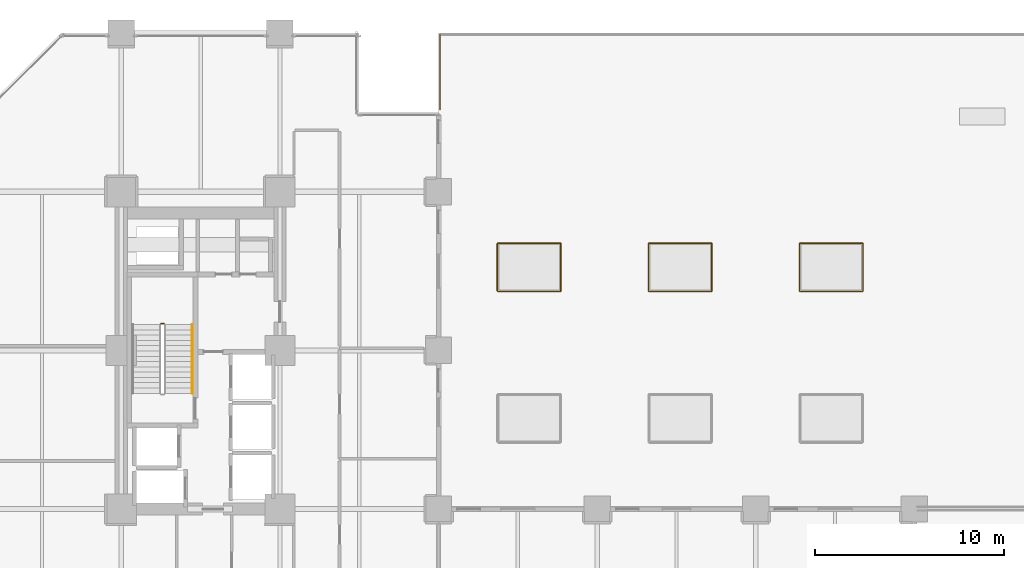
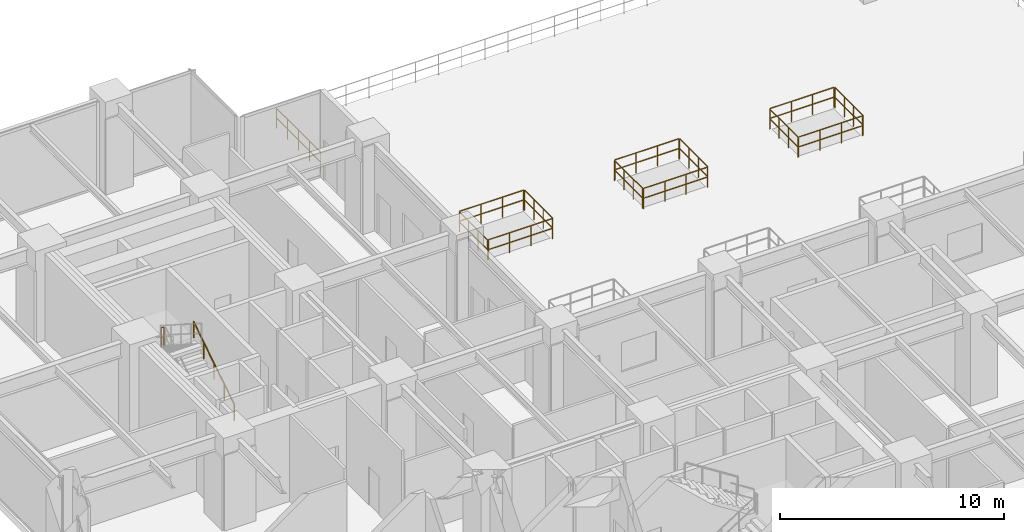
# One storey, part 20 of 21: 15 railings.
"""IFC4 building model written with IfcOpenShell, lengths in metres."""

from ifc_helpers import new_model, si_unit, direction, frame, origin, origin_2d, place, context, subcontext, project, spatial, circle, extrude, material, type_object, element, save


model = new_model("IFC4")

# Units and contexts
model_context = context("Model", 3, precision=1e-05, world=origin(), true_north=direction((0.0, 1.0)))
body_context = subcontext(model_context, "Body", "Model", "MODEL_VIEW")
ifc_project = project(units=[si_unit("LENGTHUNIT", "METRE"), si_unit("AREAUNIT", "SQUARE_METRE"), si_unit("VOLUMEUNIT", "CUBIC_METRE"), si_unit("PLANEANGLEUNIT", "RADIAN"), si_unit("MASSUNIT", "GRAM", prefix="KILO")], contexts=[model_context])

# Site, building, storey
site_placement = place(None, origin())
site = spatial("IfcSite", under=ifc_project, at=site_placement, CompositionType="ELEMENT")
building_placement = place(site_placement, origin())
building = spatial("IfcBuilding", under=site, at=building_placement, Name="Nerrivon Quay Data Exchange", CompositionType="ELEMENT")
storey_placement = place(building_placement, frame((0.0, 0.0, 19.800048828125)))
storey = spatial("IfcBuildingStorey", under=building, at=storey_placement, Name="L04", CompositionType="ELEMENT", Elevation=19.800048828125)

# Railings
ifc_material = material(Name="Steel Grade C350L0 (350 MPa)", Category="steel")
railing_type_1 = type_object("IfcRailingType", Name="RAIL-GUARD-GR2", PredefinedType="BALUSTRADE", material=ifc_material)
railing_1_placement = place(storey_placement, frame((28.35009765625, 36.719970703125, 0.0)))
element("IfcRailing", 1, at=railing_1_placement, inside=storey, type_object=railing_type_1, Name="L04 Atrium Skylight Guard 4 1", PredefinedType="BALUSTRADE", context=body_context, shape_type="SweptSolid", body=[
    extrude(circle(Radius=0.02392578125, at=origin_2d()), frame((0.0, 0.0, 1.09619140625), z_axis=(1.0, 0.0, 0.0), x_axis=(0.0, 1.0, 0.0)), (0.0, 0.0, 1.0), 3.2998046875),
    extrude(circle(Radius=0.02392578125, at=origin_2d()), frame((0.0, 0.0, 0.56005859375), z_axis=(1.0, 0.0, 0.0), x_axis=(0.0, 1.0, 0.0)), (0.0, 0.0, 1.0), 3.2998046875),
    extrude(circle(Radius=0.02099609375, at=origin_2d()), origin(), (0.0, 0.0, 1.0), 1.072021484375),
    extrude(circle(Radius=0.02099609375, at=origin_2d()), frame((1.099853515625, 0.0, 0.0)), (0.0, 0.0, 1.0), 1.072021484375),
    extrude(circle(Radius=0.02099609375, at=origin_2d()), frame((2.199951171875, 0.0, 0.0)), (0.0, 0.0, 1.0), 1.072021484375),
    extrude(circle(Radius=0.02099609375, at=origin_2d()), frame((3.2998046875, 0.0, 0.0)), (0.0, 0.0, 1.0), 1.072021484375),
])
railing_2_placement = place(storey_placement, frame((31.679931640625, 36.75, 0.0)))
element("IfcRailing", 2, at=railing_2_placement, inside=storey, type_object=railing_type_1, Name="L04 Atrium Skylight Guard 4 2", PredefinedType="BALUSTRADE", context=body_context, shape_type="SweptSolid", body=[
    extrude(circle(Radius=0.02392578125, at=origin_2d()), frame((0.0, 0.0, 1.09619140625), z_axis=(0.0, 1.0, 0.0), x_axis=(-1.0, 0.0, 0.0)), (0.0, 0.0, 1.0), 2.5),
    extrude(circle(Radius=0.02392578125, at=origin_2d()), frame((0.0, 0.0, 0.56005859375), z_axis=(0.0, 1.0, 0.0), x_axis=(-1.0, 0.0, 0.0)), (0.0, 0.0, 1.0), 2.5),
    extrude(circle(Radius=0.02099609375, at=origin_2d()), origin(), (0.0, 0.0, 1.0), 1.072021484375),
    extrude(circle(Radius=0.02099609375, at=origin_2d()), frame((0.0, 0.833251953125, 0.0)), (0.0, 0.0, 1.0), 1.072021484375),
    extrude(circle(Radius=0.02099609375, at=origin_2d()), frame((0.0, 1.666748046875, 0.0)), (0.0, 0.0, 1.0), 1.072021484375),
    extrude(circle(Radius=0.02099609375, at=origin_2d()), frame((0.0, 2.5, 0.0)), (0.0, 0.0, 1.0), 1.072021484375),
])
railing_3_placement = place(storey_placement, frame((31.64990234375, 39.280029296875, 0.0)))
element("IfcRailing", 3, at=railing_3_placement, inside=storey, type_object=railing_type_1, Name="L04 Atrium Skylight Guard 4 3", PredefinedType="BALUSTRADE", context=body_context, shape_type="SweptSolid", body=[
    extrude(circle(Radius=0.02392578125, at=origin_2d()), frame((0.0, 0.0, 1.09619140625), z_axis=(-1.0, 0.0, 0.0), x_axis=(0.0, -1.0, 0.0)), (0.0, 0.0, 1.0), 3.2998046875),
    extrude(circle(Radius=0.02392578125, at=origin_2d()), frame((0.0, 0.0, 0.56005859375), z_axis=(-1.0, 0.0, 0.0), x_axis=(0.0, -1.0, 0.0)), (0.0, 0.0, 1.0), 3.2998046875),
    extrude(circle(Radius=0.02099609375, at=origin_2d()), origin(), (0.0, 0.0, 1.0), 1.072021484375),
    extrude(circle(Radius=0.02099609375, at=origin_2d()), frame((-1.099853515625, 0.0, 0.0)), (0.0, 0.0, 1.0), 1.072021484375),
    extrude(circle(Radius=0.02099609375, at=origin_2d()), frame((-2.199951171875, 0.0, 0.0)), (0.0, 0.0, 1.0), 1.072021484375),
    extrude(circle(Radius=0.02099609375, at=origin_2d()), frame((-3.2998046875, 0.0, 0.0)), (0.0, 0.0, 1.0), 1.072021484375),
])
railing_4_placement = place(storey_placement, frame((28.320068359375, 39.25, 0.0)))
element("IfcRailing", 4, at=railing_4_placement, inside=storey, type_object=railing_type_1, Name="L04 Atrium Skylight Guard 4 4", PredefinedType="BALUSTRADE", context=body_context, shape_type="SweptSolid", body=[
    extrude(circle(Radius=0.02392578125, at=origin_2d()), frame((0.0, 0.0, 1.09619140625), z_axis=(0.0, -1.0, 0.0), x_axis=(1.0, 0.0, 0.0)), (0.0, 0.0, 1.0), 2.5),
    extrude(circle(Radius=0.02392578125, at=origin_2d()), frame((0.0, 0.0, 0.56005859375), z_axis=(0.0, -1.0, 0.0), x_axis=(1.0, 0.0, 0.0)), (0.0, 0.0, 1.0), 2.5),
    extrude(circle(Radius=0.02099609375, at=origin_2d()), origin(), (0.0, 0.0, 1.0), 1.072021484375),
    extrude(circle(Radius=0.02099609375, at=origin_2d()), frame((0.0, -0.833251953125, 0.0)), (0.0, 0.0, 1.0), 1.072021484375),
    extrude(circle(Radius=0.02099609375, at=origin_2d()), frame((0.0, -1.666748046875, 0.0)), (0.0, 0.0, 1.0), 1.072021484375),
    extrude(circle(Radius=0.02099609375, at=origin_2d()), frame((0.0, -2.5, 0.0)), (0.0, 0.0, 1.0), 1.072021484375),
])
railing_5_placement = place(storey_placement, frame((36.35009765625, 36.719970703125, 0.0)))
element("IfcRailing", 5, at=railing_5_placement, inside=storey, type_object=railing_type_1, Name="L04 Atrium Skylight Guard 5 1", PredefinedType="BALUSTRADE", context=body_context, shape_type="SweptSolid", body=[
    extrude(circle(Radius=0.02392578125, at=origin_2d()), frame((0.0, 0.0, 1.09619140625), z_axis=(1.0, 0.0, 0.0), x_axis=(0.0, 1.0, 0.0)), (0.0, 0.0, 1.0), 3.2998046875),
    extrude(circle(Radius=0.02392578125, at=origin_2d()), frame((0.0, 0.0, 0.56005859375), z_axis=(1.0, 0.0, 0.0), x_axis=(0.0, 1.0, 0.0)), (0.0, 0.0, 1.0), 3.2998046875),
    extrude(circle(Radius=0.02099609375, at=origin_2d()), origin(), (0.0, 0.0, 1.0), 1.072021484375),
    extrude(circle(Radius=0.02099609375, at=origin_2d()), frame((1.099853515625, 0.0, 0.0)), (0.0, 0.0, 1.0), 1.072021484375),
    extrude(circle(Radius=0.02099609375, at=origin_2d()), frame((2.199951171875, 0.0, 0.0)), (0.0, 0.0, 1.0), 1.072021484375),
    extrude(circle(Radius=0.02099609375, at=origin_2d()), frame((3.2998046875, 0.0, 0.0)), (0.0, 0.0, 1.0), 1.072021484375),
])
railing_6_placement = place(storey_placement, frame((39.679931640625, 36.75, 0.0)))
element("IfcRailing", 6, at=railing_6_placement, inside=storey, type_object=railing_type_1, Name="L04 Atrium Skylight Guard 5 2", PredefinedType="BALUSTRADE", context=body_context, shape_type="SweptSolid", body=[
    extrude(circle(Radius=0.02392578125, at=origin_2d()), frame((0.0, 0.0, 1.09619140625), z_axis=(0.0, 1.0, 0.0), x_axis=(-1.0, 0.0, 0.0)), (0.0, 0.0, 1.0), 2.5),
    extrude(circle(Radius=0.02392578125, at=origin_2d()), frame((0.0, 0.0, 0.56005859375), z_axis=(0.0, 1.0, 0.0), x_axis=(-1.0, 0.0, 0.0)), (0.0, 0.0, 1.0), 2.5),
    extrude(circle(Radius=0.02099609375, at=origin_2d()), origin(), (0.0, 0.0, 1.0), 1.072021484375),
    extrude(circle(Radius=0.02099609375, at=origin_2d()), frame((0.0, 0.833251953125, 0.0)), (0.0, 0.0, 1.0), 1.072021484375),
    extrude(circle(Radius=0.02099609375, at=origin_2d()), frame((0.0, 1.666748046875, 0.0)), (0.0, 0.0, 1.0), 1.072021484375),
    extrude(circle(Radius=0.02099609375, at=origin_2d()), frame((0.0, 2.5, 0.0)), (0.0, 0.0, 1.0), 1.072021484375),
])
railing_7_placement = place(storey_placement, frame((39.64990234375, 39.280029296875, 0.0)))
element("IfcRailing", 7, at=railing_7_placement, inside=storey, type_object=railing_type_1, Name="L04 Atrium Skylight Guard 5 3", PredefinedType="BALUSTRADE", context=body_context, shape_type="SweptSolid", body=[
    extrude(circle(Radius=0.02392578125, at=origin_2d()), frame((0.0, 0.0, 1.09619140625), z_axis=(-1.0, 0.0, 0.0), x_axis=(0.0, -1.0, 0.0)), (0.0, 0.0, 1.0), 3.2998046875),
    extrude(circle(Radius=0.02392578125, at=origin_2d()), frame((0.0, 0.0, 0.56005859375), z_axis=(-1.0, 0.0, 0.0), x_axis=(0.0, -1.0, 0.0)), (0.0, 0.0, 1.0), 3.2998046875),
    extrude(circle(Radius=0.02099609375, at=origin_2d()), origin(), (0.0, 0.0, 1.0), 1.072021484375),
    extrude(circle(Radius=0.02099609375, at=origin_2d()), frame((-1.099853515625, 0.0, 0.0)), (0.0, 0.0, 1.0), 1.072021484375),
    extrude(circle(Radius=0.02099609375, at=origin_2d()), frame((-2.199951171875, 0.0, 0.0)), (0.0, 0.0, 1.0), 1.072021484375),
    extrude(circle(Radius=0.02099609375, at=origin_2d()), frame((-3.2998046875, 0.0, 0.0)), (0.0, 0.0, 1.0), 1.072021484375),
])
railing_8_placement = place(storey_placement, frame((36.320068359375, 39.25, 0.0)))
element("IfcRailing", 8, at=railing_8_placement, inside=storey, type_object=railing_type_1, Name="L04 Atrium Skylight Guard 5 4", PredefinedType="BALUSTRADE", context=body_context, shape_type="SweptSolid", body=[
    extrude(circle(Radius=0.02392578125, at=origin_2d()), frame((0.0, 0.0, 1.09619140625), z_axis=(0.0, -1.0, 0.0), x_axis=(1.0, 0.0, 0.0)), (0.0, 0.0, 1.0), 2.5),
    extrude(circle(Radius=0.02392578125, at=origin_2d()), frame((0.0, 0.0, 0.56005859375), z_axis=(0.0, -1.0, 0.0), x_axis=(1.0, 0.0, 0.0)), (0.0, 0.0, 1.0), 2.5),
    extrude(circle(Radius=0.02099609375, at=origin_2d()), origin(), (0.0, 0.0, 1.0), 1.072021484375),
    extrude(circle(Radius=0.02099609375, at=origin_2d()), frame((0.0, -0.833251953125, 0.0)), (0.0, 0.0, 1.0), 1.072021484375),
    extrude(circle(Radius=0.02099609375, at=origin_2d()), frame((0.0, -1.666748046875, 0.0)), (0.0, 0.0, 1.0), 1.072021484375),
    extrude(circle(Radius=0.02099609375, at=origin_2d()), frame((0.0, -2.5, 0.0)), (0.0, 0.0, 1.0), 1.072021484375),
])
railing_9_placement = place(storey_placement, frame((44.35009765625, 36.719970703125, 0.0)))
element("IfcRailing", 9, at=railing_9_placement, inside=storey, type_object=railing_type_1, Name="L04 Atrium Skylight Guard 6 1", PredefinedType="BALUSTRADE", context=body_context, shape_type="SweptSolid", body=[
    extrude(circle(Radius=0.02392578125, at=origin_2d()), frame((0.0, 0.0, 1.09619140625), z_axis=(1.0, 0.0, 0.0), x_axis=(0.0, 1.0, 0.0)), (0.0, 0.0, 1.0), 3.2998046875),
    extrude(circle(Radius=0.02392578125, at=origin_2d()), frame((0.0, 0.0, 0.56005859375), z_axis=(1.0, 0.0, 0.0), x_axis=(0.0, 1.0, 0.0)), (0.0, 0.0, 1.0), 3.2998046875),
    extrude(circle(Radius=0.02099609375, at=origin_2d()), origin(), (0.0, 0.0, 1.0), 1.072021484375),
    extrude(circle(Radius=0.02099609375, at=origin_2d()), frame((1.099853515625, 0.0, 0.0)), (0.0, 0.0, 1.0), 1.072021484375),
    extrude(circle(Radius=0.02099609375, at=origin_2d()), frame((2.199951171875, 0.0, 0.0)), (0.0, 0.0, 1.0), 1.072021484375),
    extrude(circle(Radius=0.02099609375, at=origin_2d()), frame((3.2998046875, 0.0, 0.0)), (0.0, 0.0, 1.0), 1.072021484375),
])
railing_10_placement = place(storey_placement, frame((47.679931640625, 36.75, 0.0)))
element("IfcRailing", 10, at=railing_10_placement, inside=storey, type_object=railing_type_1, Name="L04 Atrium Skylight Guard 6 2", PredefinedType="BALUSTRADE", context=body_context, shape_type="SweptSolid", body=[
    extrude(circle(Radius=0.02392578125, at=origin_2d()), frame((0.0, 0.0, 1.09619140625), z_axis=(0.0, 1.0, 0.0), x_axis=(-1.0, 0.0, 0.0)), (0.0, 0.0, 1.0), 2.5),
    extrude(circle(Radius=0.02392578125, at=origin_2d()), frame((0.0, 0.0, 0.56005859375), z_axis=(0.0, 1.0, 0.0), x_axis=(-1.0, 0.0, 0.0)), (0.0, 0.0, 1.0), 2.5),
    extrude(circle(Radius=0.02099609375, at=origin_2d()), origin(), (0.0, 0.0, 1.0), 1.072021484375),
    extrude(circle(Radius=0.02099609375, at=origin_2d()), frame((0.0, 0.833251953125, 0.0)), (0.0, 0.0, 1.0), 1.072021484375),
    extrude(circle(Radius=0.02099609375, at=origin_2d()), frame((0.0, 1.666748046875, 0.0)), (0.0, 0.0, 1.0), 1.072021484375),
    extrude(circle(Radius=0.02099609375, at=origin_2d()), frame((0.0, 2.5, 0.0)), (0.0, 0.0, 1.0), 1.072021484375),
])
railing_11_placement = place(storey_placement, frame((47.64990234375, 39.280029296875, 0.0)))
element("IfcRailing", 11, at=railing_11_placement, inside=storey, type_object=railing_type_1, Name="L04 Atrium Skylight Guard 6 3", PredefinedType="BALUSTRADE", context=body_context, shape_type="SweptSolid", body=[
    extrude(circle(Radius=0.02392578125, at=origin_2d()), frame((0.0, 0.0, 1.09619140625), z_axis=(-1.0, 0.0, 0.0), x_axis=(0.0, -1.0, 0.0)), (0.0, 0.0, 1.0), 3.2998046875),
    extrude(circle(Radius=0.02392578125, at=origin_2d()), frame((0.0, 0.0, 0.56005859375), z_axis=(-1.0, 0.0, 0.0), x_axis=(0.0, -1.0, 0.0)), (0.0, 0.0, 1.0), 3.2998046875),
    extrude(circle(Radius=0.02099609375, at=origin_2d()), origin(), (0.0, 0.0, 1.0), 1.072021484375),
    extrude(circle(Radius=0.02099609375, at=origin_2d()), frame((-1.099853515625, 0.0, 0.0)), (0.0, 0.0, 1.0), 1.072021484375),
    extrude(circle(Radius=0.02099609375, at=origin_2d()), frame((-2.199951171875, 0.0, 0.0)), (0.0, 0.0, 1.0), 1.072021484375),
    extrude(circle(Radius=0.02099609375, at=origin_2d()), frame((-3.2998046875, 0.0, 0.0)), (0.0, 0.0, 1.0), 1.072021484375),
])
railing_12_placement = place(storey_placement, frame((44.320068359375, 39.25, 0.0)))
element("IfcRailing", 12, at=railing_12_placement, inside=storey, type_object=railing_type_1, Name="L04 Atrium Skylight Guard 6 4", PredefinedType="BALUSTRADE", context=body_context, shape_type="SweptSolid", body=[
    extrude(circle(Radius=0.02392578125, at=origin_2d()), frame((0.0, 0.0, 1.09619140625), z_axis=(0.0, -1.0, 0.0), x_axis=(1.0, 0.0, 0.0)), (0.0, 0.0, 1.0), 2.5),
    extrude(circle(Radius=0.02392578125, at=origin_2d()), frame((0.0, 0.0, 0.56005859375), z_axis=(0.0, -1.0, 0.0), x_axis=(1.0, 0.0, 0.0)), (0.0, 0.0, 1.0), 2.5),
    extrude(circle(Radius=0.02099609375, at=origin_2d()), origin(), (0.0, 0.0, 1.0), 1.072021484375),
    extrude(circle(Radius=0.02099609375, at=origin_2d()), frame((0.0, -0.833251953125, 0.0)), (0.0, 0.0, 1.0), 1.072021484375),
    extrude(circle(Radius=0.02099609375, at=origin_2d()), frame((0.0, -1.666748046875, 0.0)), (0.0, 0.0, 1.0), 1.072021484375),
    extrude(circle(Radius=0.02099609375, at=origin_2d()), frame((0.0, -2.5, 0.0)), (0.0, 0.0, 1.0), 1.072021484375),
])
railing_13_placement = place(storey_placement, frame((25.280029296875, 46.361083984375, 0.0)))
element("IfcRailing", 13, at=railing_13_placement, inside=storey, type_object=railing_type_1, Name="L04 Terrace Perimeter Guard 1.1 1", PredefinedType="BALUSTRADE", context=body_context, shape_type="SweptSolid", body=[
    extrude(circle(Radius=0.02392578125, at=origin_2d()), frame((0.0, 0.0, 1.09619140625), z_axis=(0.0, 1.0, 0.0), x_axis=(-1.0, 0.0, 0.0)), (0.0, 0.0, 1.0), 3.958984375),
    extrude(circle(Radius=0.02392578125, at=origin_2d()), frame((0.0, 0.0, 0.56005859375), z_axis=(0.0, 1.0, 0.0), x_axis=(-1.0, 0.0, 0.0)), (0.0, 0.0, 1.0), 3.958984375),
    extrude(circle(Radius=0.02099609375, at=origin_2d()), origin(), (0.0, 0.0, 1.0), 1.072021484375),
    extrude(circle(Radius=0.02099609375, at=origin_2d()), frame((0.0, 0.98974609375, 0.0)), (0.0, 0.0, 1.0), 1.072021484375),
    extrude(circle(Radius=0.02099609375, at=origin_2d()), frame((0.0, 1.9794921875, 0.0)), (0.0, 0.0, 1.0), 1.072021484375),
    extrude(circle(Radius=0.02099609375, at=origin_2d()), frame((0.0, 2.96923828125, 0.0)), (0.0, 0.0, 1.0), 1.072021484375),
    extrude(circle(Radius=0.02099609375, at=origin_2d()), frame((0.0, 3.958984375, 0.0)), (0.0, 0.0, 1.0), 1.072021484375),
])
railing_type_2 = type_object("IfcRailingType", Name="RAIL-HAND-HR1", PredefinedType="HANDRAIL", material=ifc_material)
railing_14_placement = place(storey_placement, frame((12.14990234375, 31.330078125, 0.178466796875)))
element("IfcRailing", 14, at=railing_14_placement, inside=storey, type_object=railing_type_2, Name="L04 ST01 stair handrail 1", PredefinedType="HANDRAIL", context=body_context, shape_type="SweptSolid", body=[
    extrude(circle(Radius=0.02392578125, at=origin_2d()), frame((0.0, 0.0, 0.8759765625), z_axis=(0.0, 0.843111507901, 0.53773877045), x_axis=(-1.0, 0.0, 0.0)), (0.0, 0.0, 1.0), 4.317138671875),
    extrude(circle(Radius=0.02099609375, at=origin_2d()), origin(), (0.0, 0.0, 1.0), 0.851806640625),
    extrude(circle(Radius=0.02099609375, at=origin_2d()), frame((0.0, 0.909912109375, 0.580322265625)), (0.0, 0.0, 1.0), 0.851806640625),
    extrude(circle(Radius=0.02099609375, at=origin_2d()), frame((0.0, 1.81982421875, 1.16064453125)), (0.0, 0.0, 1.0), 0.851806640625),
    extrude(circle(Radius=0.02099609375, at=origin_2d()), frame((0.0, 2.72998046875, 1.7412109375)), (0.0, 0.0, 1.0), 0.851806640625),
    extrude(circle(Radius=0.02099609375, at=origin_2d()), frame((0.0, 3.639892578125, 2.321533203125)), (0.0, 0.0, 1.0), 0.851806640625),
])
railing_type_3 = type_object("IfcRailingType", Name="RAIL-STAIR-GR1", PredefinedType="BALUSTRADE", material=ifc_material)
railing_15_placement = place(storey_placement, frame((10.64990234375, 35.02001953125, 2.5)))
element("IfcRailing", 15, at=railing_15_placement, inside=storey, type_object=railing_type_3, Name="L04 ST01 stair guard 2", PredefinedType="BALUSTRADE", context=body_context, shape_type="SweptSolid", body=[
    extrude(circle(Radius=0.02392578125, at=origin_2d()), frame((0.0, 0.0, 1.076171875), z_axis=(-1.0, 0.0, 0.0), x_axis=(0.0, -1.0, 0.0)), (0.0, 0.0, 1.0), 0.14990234375),
    extrude(circle(Radius=0.02392578125, at=origin_2d()), frame((0.0, 0.0, 0.550048828125), z_axis=(-1.0, 0.0, 0.0), x_axis=(0.0, -1.0, 0.0)), (0.0, 0.0, 1.0), 0.14990234375),
    extrude(circle(Radius=0.02099609375, at=origin_2d()), origin(), (0.0, 0.0, 1.0), 1.052001953125),
    extrude(circle(Radius=0.02099609375, at=origin_2d()), frame((-0.14990234375, 0.0, 0.0)), (0.0, 0.0, 1.0), 1.052001953125),
])

save(model, "model.ifc")
